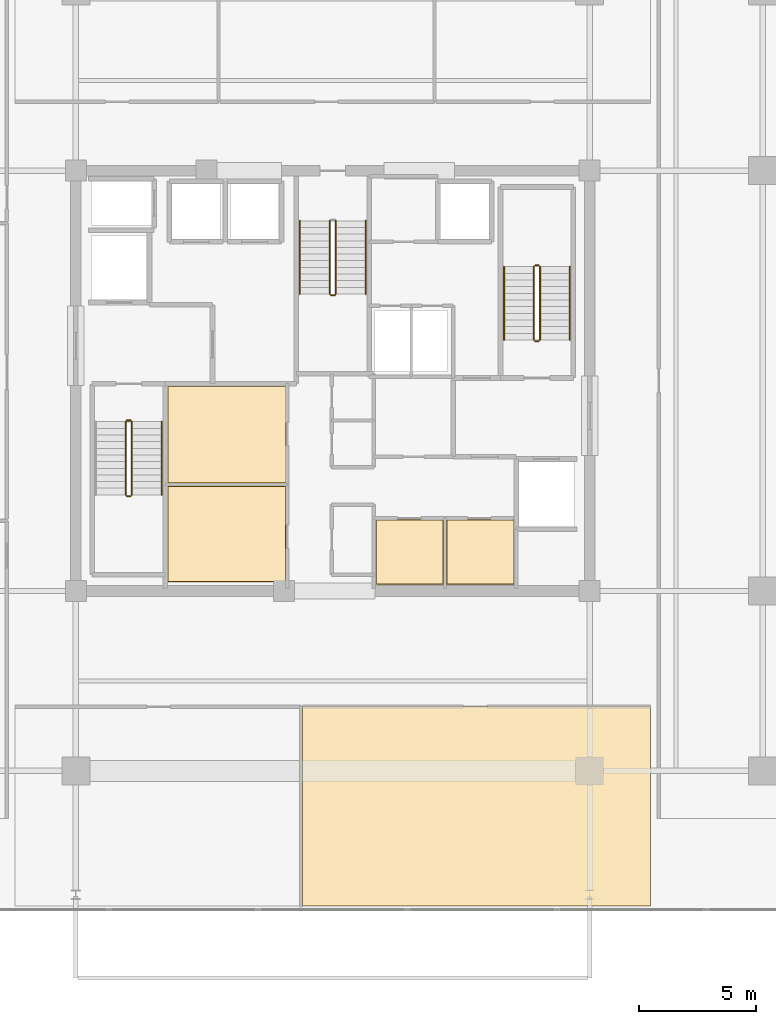
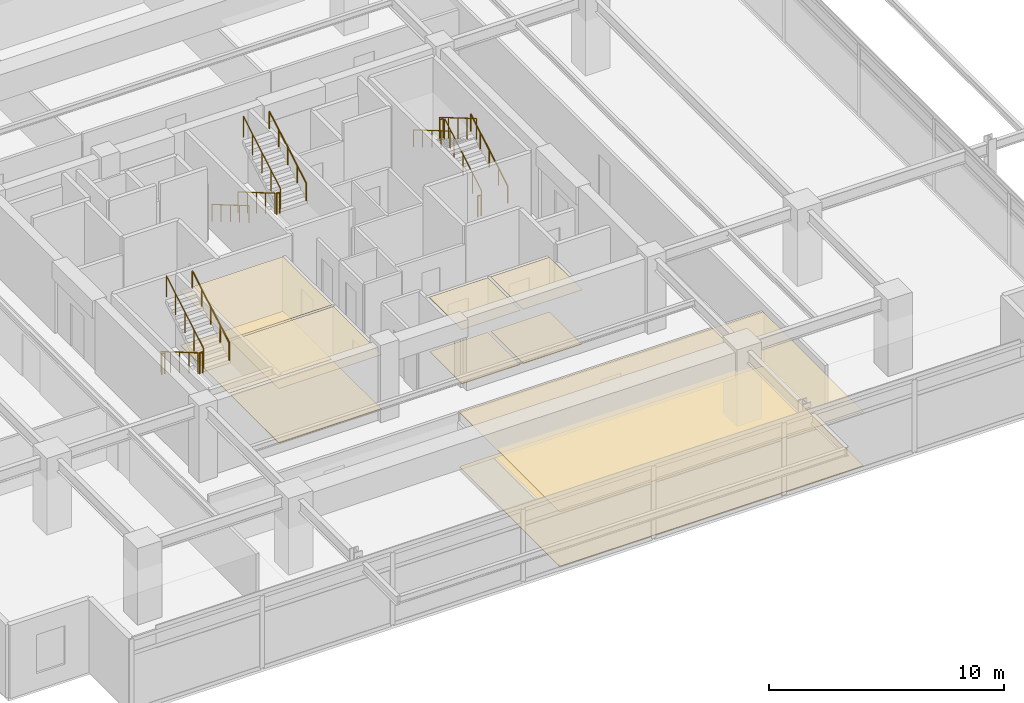
# One storey, part 17 of 19: 16 railings, 10 coverings.
"""IFC4 building model written with IfcOpenShell, lengths in metres."""

from ifc_helpers import new_model, si_unit, direction, frame, origin, origin_2d, place, context, subcontext, project, spatial, polyline, circle, outline, extrude, material, layer, layer_set, type_object, element, save


model = new_model("IFC4")

# Units and contexts
model_context = context("Model", 3, precision=1e-05, world=origin(), true_north=direction((0.0, 1.0)))
body_context = subcontext(model_context, "Body", "Model", "MODEL_VIEW")
ifc_project = project(units=[si_unit("LENGTHUNIT", "METRE"), si_unit("AREAUNIT", "SQUARE_METRE"), si_unit("VOLUMEUNIT", "CUBIC_METRE"), si_unit("PLANEANGLEUNIT", "RADIAN"), si_unit("MASSUNIT", "GRAM", prefix="KILO")], contexts=[model_context])

# Site, building, storey
site_placement = place(None, origin())
site = spatial("IfcSite", under=ifc_project, at=site_placement, CompositionType="ELEMENT")
building_placement = place(site_placement, origin())
building = spatial("IfcBuilding", under=site, at=building_placement, Name="Kovane Verandah Tower", CompositionType="ELEMENT")
storey_placement = place(building_placement, frame((0.0, 0.0, 255.199951171875)))
storey = spatial("IfcBuildingStorey", under=building, at=storey_placement, Name="L59", CompositionType="ELEMENT", Elevation=255.199951171875)

# Coverings
ifc_material_1 = material(Name="Perforated Acoustic Mineral-Fibre Ceiling Tile", Category="gypsum")
ifc_layer_1 = layer(ifc_material_1, 0.02490234375)
ifc_layer_set_1 = layer_set([ifc_layer_1], Name="Perforated Acoustic Mineral-Fibre Ceiling Tile")
covering_type_1 = type_object("IfcCoveringType", Name="CV-CEIL-25", PredefinedType="CEILING", material=ifc_layer_set_1)
covering_1_placement = place(storey_placement, frame((0.0, 0.0, 2.824951171875)))
element("IfcCovering", 1, at=covering_1_placement, inside=storey, type_object=covering_type_1, Name="L59 IT Server Room Acoustic Ceiling", PredefinedType="CEILING", context=body_context, shape_type="SweptSolid", body=[
    extrude(outline(polyline([(32.93505859375, 18.885009765625), (37.9951171875, 18.885009765625), (37.9951171875, 22.9951171875), (32.93505859375, 22.9951171875), (32.93505859375, 18.885009765625)])), origin(), (0.0, 0.0, 1.0), 0.025146484375),
])
covering_2_placement = place(storey_placement, frame((0.0, 0.0, 2.824951171875)))
element("IfcCovering", 2, at=covering_2_placement, inside=storey, type_object=covering_type_1, Name="L59 Telecom MDF Room Acoustic Ceiling", PredefinedType="CEILING", context=body_context, shape_type="SweptSolid", body=[
    extrude(outline(polyline([(32.93505859375, 23.125), (37.9951171875, 23.125), (37.9951171875, 27.264892578125), (32.93505859375, 27.264892578125), (32.93505859375, 23.125)])), origin(), (0.0, 0.0, 1.0), 0.025146484375),
])
covering_3_placement = place(storey_placement, frame((0.0, 0.0, 2.824951171875)))
element("IfcCovering", 3, at=covering_3_placement, inside=storey, type_object=covering_type_1, Name="L59 AV Control Room Acoustic Ceiling", PredefinedType="CEILING", context=body_context, shape_type="SweptSolid", body=[
    extrude(outline(polyline([(41.864990234375, 18.784912109375), (44.735107421875, 18.784912109375), (44.735107421875, 21.56494140625), (41.864990234375, 21.56494140625), (41.864990234375, 18.784912109375)])), origin(), (0.0, 0.0, 1.0), 0.025146484375),
])
covering_4_placement = place(storey_placement, frame((0.0, 0.0, 2.824951171875)))
element("IfcCovering", 4, at=covering_4_placement, inside=storey, type_object=covering_type_1, Name="L59 East IT Server Room Acoustic Ceiling", PredefinedType="CEILING", context=body_context, shape_type="SweptSolid", body=[
    extrude(outline(polyline([(44.864990234375, 18.784912109375), (47.764892578125, 18.784912109375), (47.764892578125, 21.56494140625), (44.864990234375, 21.56494140625), (44.864990234375, 18.784912109375)])), origin(), (0.0, 0.0, 1.0), 0.025146484375),
])
covering_5_placement = place(storey_placement, frame((0.0, 0.0, 2.824951171875)))
element("IfcCovering", 5, at=covering_5_placement, inside=storey, type_object=covering_type_1, Name="L59 Open Plan Office S2 Acoustic Ceiling", PredefinedType="CEILING", context=body_context, shape_type="SweptSolid", body=[
    extrude(outline(polyline([(38.7099609375, 5.012451171875), (53.60009765625, 5.012451171875), (53.60009765625, 13.550048828125), (38.7099609375, 13.550048828125), (38.7099609375, 5.012451171875)])), origin(), (0.0, 0.0, 1.0), 0.025146484375),
])
ifc_material_2 = material(Name="Polished Terrazzo and Raised-Access Carpet Tile Finish", Category="concrete")
ifc_layer_2 = layer(ifc_material_2, 0.030029296875)
ifc_layer_set_2 = layer_set([ifc_layer_2], Name="Polished Terrazzo and Raised-Access Carpet Tile Finish")
covering_type_2 = type_object("IfcCoveringType", Name="CV-FLOR-30", PredefinedType="FLOORING", material=ifc_layer_set_2)
covering_6_placement = place(storey_placement, origin())
element("IfcCovering", 6, at=covering_6_placement, inside=storey, type_object=covering_type_2, Name="L59 IT Server Room Floor Finish", PredefinedType="FLOORING", context=body_context, shape_type="SweptSolid", body=[
    extrude(outline(polyline([(32.949951171875, 18.89990234375), (37.97998046875, 18.89990234375), (37.97998046875, 22.97998046875), (32.949951171875, 22.97998046875), (32.949951171875, 18.89990234375)])), origin(), (0.0, 0.0, 1.0), 0.030029296875),
])
covering_7_placement = place(storey_placement, origin())
element("IfcCovering", 7, at=covering_7_placement, inside=storey, type_object=covering_type_2, Name="L59 Telecom MDF Room Floor Finish", PredefinedType="FLOORING", context=body_context, shape_type="SweptSolid", body=[
    extrude(outline(polyline([(32.949951171875, 23.139892578125), (37.97998046875, 23.139892578125), (37.97998046875, 27.25), (32.949951171875, 27.25), (32.949951171875, 23.139892578125)])), origin(), (0.0, 0.0, 1.0), 0.030029296875),
])
covering_8_placement = place(storey_placement, origin())
element("IfcCovering", 8, at=covering_8_placement, inside=storey, type_object=covering_type_2, Name="L59 AV Control Room Floor Finish", PredefinedType="FLOORING", context=body_context, shape_type="SweptSolid", body=[
    extrude(outline(polyline([(41.8798828125, 18.800048828125), (44.719970703125, 18.800048828125), (44.719970703125, 21.550048828125), (41.8798828125, 21.550048828125), (41.8798828125, 18.800048828125)])), origin(), (0.0, 0.0, 1.0), 0.030029296875),
])
covering_9_placement = place(storey_placement, origin())
element("IfcCovering", 9, at=covering_9_placement, inside=storey, type_object=covering_type_2, Name="L59 East IT Server Room Floor Finish", PredefinedType="FLOORING", context=body_context, shape_type="SweptSolid", body=[
    extrude(outline(polyline([(44.8798828125, 18.800048828125), (47.75, 18.800048828125), (47.75, 21.550048828125), (44.8798828125, 21.550048828125), (44.8798828125, 18.800048828125)])), origin(), (0.0, 0.0, 1.0), 0.030029296875),
])
covering_10_placement = place(storey_placement, origin())
element("IfcCovering", 10, at=covering_10_placement, inside=storey, type_object=covering_type_2, Name="L59 Open Plan Office S2 Floor Finish", PredefinedType="FLOORING", context=body_context, shape_type="SweptSolid", body=[
    extrude(outline(polyline([(38.7099609375, 5.012451171875), (53.60009765625, 5.012451171875), (53.60009765625, 13.550048828125), (38.7099609375, 13.550048828125), (38.7099609375, 5.012451171875)])), origin(), (0.0, 0.0, 1.0), 0.030029296875),
])

# Railings
ifc_material_3 = material(Name="Brushed Stainless Steel Handrail", Category="steel")
railing_type_1 = type_object("IfcRailingType", Name="RL-HAND-920", PredefinedType="HANDRAIL", material=ifc_material_3)
for number, where, name in (
    (11, (32.669921875, 22.614990234375, 2.166748046875), "L59 ST-01 stair handrail 2"),
    (12, (50.14990234375, 29.25, 0.166748046875), "L59 ST-02 stair handrail 1"),
):
    element("IfcRailing", number, at=place(storey_placement, frame(where)), inside=storey, type_object=railing_type_1, Name=name, PredefinedType="HANDRAIL", context=body_context, shape_type="SweptSolid", body=[
        extrude(circle(Radius=0.02392578125, at=origin_2d()), frame((0.0, 0.0, 0.8759765625), z_axis=(0.0, 0.863239559939, 0.504794475164), x_axis=(-1.0, 0.0, 0.0)), (0.0, 0.0, 1.0), 3.631591796875),
        extrude(circle(Radius=0.02099609375, at=origin_2d()), origin(), (0.0, 0.0, 1.0), 0.851806640625),
        extrude(circle(Radius=0.02099609375, at=origin_2d()), frame((0.0, 0.78369140625, 0.458251953125)), (0.0, 0.0, 1.0), 0.851806640625),
        extrude(circle(Radius=0.02099609375, at=origin_2d()), frame((0.0, 1.5673828125, 0.91650390625)), (0.0, 0.0, 1.0), 0.851806640625),
        extrude(circle(Radius=0.02099609375, at=origin_2d()), frame((0.0, 2.351318359375, 1.375)), (0.0, 0.0, 1.0), 0.851806640625),
        extrude(circle(Radius=0.02099609375, at=origin_2d()), frame((0.0, 3.135009765625, 1.833251953125)), (0.0, 0.0, 1.0), 0.851806640625),
    ])
for number, where, name in (
    (13, (47.330078125, 32.385009765625, 2.166748046875), "L59 ST-02 stair handrail 2"),
    (14, (38.590087890625, 34.35009765625, 0.166748046875), "L59 ST-03 stair handrail 1"),
):
    element("IfcRailing", number, at=place(storey_placement, frame(where)), inside=storey, type_object=railing_type_1, Name=name, PredefinedType="HANDRAIL", context=body_context, shape_type="SweptSolid", body=[
        extrude(circle(Radius=0.02392578125, at=origin_2d()), frame((0.0, 0.0, 0.8759765625), z_axis=(0.0, -0.863239559939, 0.504794475164), x_axis=(1.0, 0.0, 0.0)), (0.0, 0.0, 1.0), 3.631591796875),
        extrude(circle(Radius=0.02099609375, at=origin_2d()), origin(), (0.0, 0.0, 1.0), 0.851806640625),
        extrude(circle(Radius=0.02099609375, at=origin_2d()), frame((0.0, -0.78369140625, 0.458251953125)), (0.0, 0.0, 1.0), 0.851806640625),
        extrude(circle(Radius=0.02099609375, at=origin_2d()), frame((0.0, -1.5673828125, 0.91650390625)), (0.0, 0.0, 1.0), 0.851806640625),
        extrude(circle(Radius=0.02099609375, at=origin_2d()), frame((0.0, -2.351318359375, 1.375)), (0.0, 0.0, 1.0), 0.851806640625),
        extrude(circle(Radius=0.02099609375, at=origin_2d()), frame((0.0, -3.135009765625, 1.833251953125)), (0.0, 0.0, 1.0), 0.851806640625),
    ])
railing_1_placement = place(storey_placement, frame((41.409912109375, 31.215087890625, 2.166748046875)))
element("IfcRailing", 15, at=railing_1_placement, inside=storey, type_object=railing_type_1, Name="L59 ST-03 stair handrail 2", PredefinedType="HANDRAIL", context=body_context, shape_type="SweptSolid", body=[
    extrude(circle(Radius=0.02392578125, at=origin_2d()), frame((0.0, 0.0, 0.8759765625), z_axis=(0.0, 0.863239559939, 0.504794475164), x_axis=(-1.0, 0.0, 0.0)), (0.0, 0.0, 1.0), 3.631591796875),
    extrude(circle(Radius=0.02099609375, at=origin_2d()), origin(), (0.0, 0.0, 1.0), 0.851806640625),
    extrude(circle(Radius=0.02099609375, at=origin_2d()), frame((0.0, 0.78369140625, 0.458251953125)), (0.0, 0.0, 1.0), 0.851806640625),
    extrude(circle(Radius=0.02099609375, at=origin_2d()), frame((0.0, 1.5673828125, 0.91650390625)), (0.0, 0.0, 1.0), 0.851806640625),
    extrude(circle(Radius=0.02099609375, at=origin_2d()), frame((0.0, 2.351318359375, 1.375)), (0.0, 0.0, 1.0), 0.851806640625),
    extrude(circle(Radius=0.02099609375, at=origin_2d()), frame((0.0, 3.135009765625, 1.833251953125)), (0.0, 0.0, 1.0), 0.851806640625),
])
ifc_material_4 = material(Name="Painted Steel Stairwell Guardrail", Category="steel")
railing_type_2 = type_object("IfcRailingType", Name="RL-STGUARD-1120", PredefinedType="GUARDRAIL", material=ifc_material_4)
railing_2_placement = place(storey_placement, frame((31.1298828125, 25.75, 0.166748046875)))
element("IfcRailing", 16, at=railing_2_placement, inside=storey, type_object=railing_type_2, Name="L59 ST-01 stair guard 1", PredefinedType="GUARDRAIL", context=body_context, shape_type="SweptSolid", body=[
    extrude(circle(Radius=0.02392578125, at=origin_2d()), frame((0.0, 0.0, 1.076171875), z_axis=(0.0, -0.863239559939, 0.504794475164), x_axis=(1.0, 0.0, 0.0)), (0.0, 0.0, 1.0), 3.631591796875),
    extrude(circle(Radius=0.02099609375, at=origin_2d()), origin(), (0.0, 0.0, 1.0), 1.052001953125),
    extrude(circle(Radius=0.02099609375, at=origin_2d()), frame((0.0, -0.78369140625, 0.458251953125)), (0.0, 0.0, 1.0), 1.052001953125),
    extrude(circle(Radius=0.02099609375, at=origin_2d()), frame((0.0, -1.5673828125, 0.91650390625)), (0.0, 0.0, 1.0), 1.052001953125),
    extrude(circle(Radius=0.02099609375, at=origin_2d()), frame((0.0, -2.351318359375, 1.375)), (0.0, 0.0, 1.0), 1.052001953125),
    extrude(circle(Radius=0.02099609375, at=origin_2d()), frame((0.0, -3.135009765625, 1.833251953125)), (0.0, 0.0, 1.0), 1.052001953125),
])
railing_3_placement = place(storey_placement, frame((31.179931640625, 22.56494140625, 2.0)))
element("IfcRailing", 17, at=railing_3_placement, inside=storey, type_object=railing_type_2, Name="L59 ST-01 stair guard 2", PredefinedType="GUARDRAIL", context=body_context, shape_type="SweptSolid", body=[
    extrude(circle(Radius=0.02392578125, at=origin_2d()), frame((0.0, 0.0, 1.076171875), z_axis=(1.0, 0.0, 0.0), x_axis=(0.0, 1.0, 0.0)), (0.0, 0.0, 1.0), 0.16015625),
    extrude(circle(Radius=0.02099609375, at=origin_2d()), origin(), (0.0, 0.0, 1.0), 1.052001953125),
    extrude(circle(Radius=0.02099609375, at=origin_2d()), frame((0.16015625, 0.0, 0.0)), (0.0, 0.0, 1.0), 1.052001953125),
])
railing_4_placement = place(storey_placement, frame((31.389892578125, 22.614990234375, 2.166748046875)))
element("IfcRailing", 18, at=railing_4_placement, inside=storey, type_object=railing_type_2, Name="L59 ST-01 stair guard 3", PredefinedType="GUARDRAIL", context=body_context, shape_type="SweptSolid", body=[
    extrude(circle(Radius=0.02392578125, at=origin_2d()), frame((0.0, 0.0, 1.076171875), z_axis=(0.0, 0.863239559939, 0.504794475164), x_axis=(-1.0, 0.0, 0.0)), (0.0, 0.0, 1.0), 3.631591796875),
    extrude(circle(Radius=0.02099609375, at=origin_2d()), origin(), (0.0, 0.0, 1.0), 1.052001953125),
    extrude(circle(Radius=0.02099609375, at=origin_2d()), frame((0.0, 0.78369140625, 0.458251953125)), (0.0, 0.0, 1.0), 1.052001953125),
    extrude(circle(Radius=0.02099609375, at=origin_2d()), frame((0.0, 1.5673828125, 0.91650390625)), (0.0, 0.0, 1.0), 1.052001953125),
    extrude(circle(Radius=0.02099609375, at=origin_2d()), frame((0.0, 2.351318359375, 1.375)), (0.0, 0.0, 1.0), 1.052001953125),
    extrude(circle(Radius=0.02099609375, at=origin_2d()), frame((0.0, 3.135009765625, 1.833251953125)), (0.0, 0.0, 1.0), 1.052001953125),
])
railing_5_placement = place(storey_placement, frame((31.179931640625, 25.800048828125, 0.0)))
element("IfcRailing", 19, at=railing_5_placement, inside=storey, type_object=railing_type_2, Name="L59 ST-01 stair guard 4", PredefinedType="GUARDRAIL", context=body_context, shape_type="SweptSolid", body=[
    extrude(circle(Radius=0.02392578125, at=origin_2d()), frame((0.0, 0.0, 1.076171875), z_axis=(1.0, 0.0, 0.0), x_axis=(0.0, 1.0, 0.0)), (0.0, 0.0, 1.0), 0.16015625),
    extrude(circle(Radius=0.02099609375, at=origin_2d()), origin(), (0.0, 0.0, 1.0), 1.052001953125),
    extrude(circle(Radius=0.02099609375, at=origin_2d()), frame((0.16015625, 0.0, 0.0)), (0.0, 0.0, 1.0), 1.052001953125),
])
railing_6_placement = place(storey_placement, frame((48.8701171875, 29.25, 0.166748046875)))
element("IfcRailing", 20, at=railing_6_placement, inside=storey, type_object=railing_type_2, Name="L59 ST-02 stair guard 1", PredefinedType="GUARDRAIL", context=body_context, shape_type="SweptSolid", body=[
    extrude(circle(Radius=0.02392578125, at=origin_2d()), frame((0.0, 0.0, 1.076171875), z_axis=(0.0, 0.863239559939, 0.504794475164), x_axis=(-1.0, 0.0, 0.0)), (0.0, 0.0, 1.0), 3.631591796875),
    extrude(circle(Radius=0.02099609375, at=origin_2d()), origin(), (0.0, 0.0, 1.0), 1.052001953125),
    extrude(circle(Radius=0.02099609375, at=origin_2d()), frame((0.0, 0.78369140625, 0.458251953125)), (0.0, 0.0, 1.0), 1.052001953125),
    extrude(circle(Radius=0.02099609375, at=origin_2d()), frame((0.0, 1.5673828125, 0.91650390625)), (0.0, 0.0, 1.0), 1.052001953125),
    extrude(circle(Radius=0.02099609375, at=origin_2d()), frame((0.0, 2.351318359375, 1.375)), (0.0, 0.0, 1.0), 1.052001953125),
    extrude(circle(Radius=0.02099609375, at=origin_2d()), frame((0.0, 3.135009765625, 1.833251953125)), (0.0, 0.0, 1.0), 1.052001953125),
])
railing_7_placement = place(storey_placement, frame((48.820068359375, 32.43505859375, 2.0)))
element("IfcRailing", 21, at=railing_7_placement, inside=storey, type_object=railing_type_2, Name="L59 ST-02 stair guard 2", PredefinedType="GUARDRAIL", context=body_context, shape_type="SweptSolid", body=[
    extrude(circle(Radius=0.02392578125, at=origin_2d()), frame((0.0, 0.0, 1.076171875), z_axis=(-1.0, 0.0, 0.0), x_axis=(0.0, -1.0, 0.0)), (0.0, 0.0, 1.0), 0.16015625),
    extrude(circle(Radius=0.02099609375, at=origin_2d()), origin(), (0.0, 0.0, 1.0), 1.052001953125),
    extrude(circle(Radius=0.02099609375, at=origin_2d()), frame((-0.16015625, 0.0, 0.0)), (0.0, 0.0, 1.0), 1.052001953125),
])
railing_8_placement = place(storey_placement, frame((48.610107421875, 32.385009765625, 2.166748046875)))
element("IfcRailing", 22, at=railing_8_placement, inside=storey, type_object=railing_type_2, Name="L59 ST-02 stair guard 3", PredefinedType="GUARDRAIL", context=body_context, shape_type="SweptSolid", body=[
    extrude(circle(Radius=0.02392578125, at=origin_2d()), frame((0.0, 0.0, 1.076171875), z_axis=(0.0, -0.863239559939, 0.504794475164), x_axis=(1.0, 0.0, 0.0)), (0.0, 0.0, 1.0), 3.631591796875),
    extrude(circle(Radius=0.02099609375, at=origin_2d()), origin(), (0.0, 0.0, 1.0), 1.052001953125),
    extrude(circle(Radius=0.02099609375, at=origin_2d()), frame((0.0, -0.78369140625, 0.458251953125)), (0.0, 0.0, 1.0), 1.052001953125),
    extrude(circle(Radius=0.02099609375, at=origin_2d()), frame((0.0, -1.5673828125, 0.91650390625)), (0.0, 0.0, 1.0), 1.052001953125),
    extrude(circle(Radius=0.02099609375, at=origin_2d()), frame((0.0, -2.351318359375, 1.375)), (0.0, 0.0, 1.0), 1.052001953125),
    extrude(circle(Radius=0.02099609375, at=origin_2d()), frame((0.0, -3.135009765625, 1.833251953125)), (0.0, 0.0, 1.0), 1.052001953125),
])
railing_9_placement = place(storey_placement, frame((48.820068359375, 29.199951171875, 0.0)))
element("IfcRailing", 23, at=railing_9_placement, inside=storey, type_object=railing_type_2, Name="L59 ST-02 stair guard 4", PredefinedType="GUARDRAIL", context=body_context, shape_type="SweptSolid", body=[
    extrude(circle(Radius=0.02392578125, at=origin_2d()), frame((0.0, 0.0, 1.076171875), z_axis=(-1.0, 0.0, 0.0), x_axis=(0.0, -1.0, 0.0)), (0.0, 0.0, 1.0), 0.16015625),
    extrude(circle(Radius=0.02099609375, at=origin_2d()), origin(), (0.0, 0.0, 1.0), 1.052001953125),
    extrude(circle(Radius=0.02099609375, at=origin_2d()), frame((-0.16015625, 0.0, 0.0)), (0.0, 0.0, 1.0), 1.052001953125),
])
railing_10_placement = place(storey_placement, frame((39.8701171875, 34.35009765625, 0.166748046875)))
element("IfcRailing", 24, at=railing_10_placement, inside=storey, type_object=railing_type_2, Name="L59 ST-03 stair guard 1", PredefinedType="GUARDRAIL", context=body_context, shape_type="SweptSolid", body=[
    extrude(circle(Radius=0.02392578125, at=origin_2d()), frame((0.0, 0.0, 1.076171875), z_axis=(0.0, -0.863239559939, 0.504794475164), x_axis=(1.0, 0.0, 0.0)), (0.0, 0.0, 1.0), 3.631591796875),
    extrude(circle(Radius=0.02099609375, at=origin_2d()), origin(), (0.0, 0.0, 1.0), 1.052001953125),
    extrude(circle(Radius=0.02099609375, at=origin_2d()), frame((0.0, -0.78369140625, 0.458251953125)), (0.0, 0.0, 1.0), 1.052001953125),
    extrude(circle(Radius=0.02099609375, at=origin_2d()), frame((0.0, -1.5673828125, 0.91650390625)), (0.0, 0.0, 1.0), 1.052001953125),
    extrude(circle(Radius=0.02099609375, at=origin_2d()), frame((0.0, -2.351318359375, 1.375)), (0.0, 0.0, 1.0), 1.052001953125),
    extrude(circle(Radius=0.02099609375, at=origin_2d()), frame((0.0, -3.135009765625, 1.833251953125)), (0.0, 0.0, 1.0), 1.052001953125),
])
railing_11_placement = place(storey_placement, frame((39.919921875, 31.1650390625, 2.0)))
element("IfcRailing", 25, at=railing_11_placement, inside=storey, type_object=railing_type_2, Name="L59 ST-03 stair guard 2", PredefinedType="GUARDRAIL", context=body_context, shape_type="SweptSolid", body=[
    extrude(circle(Radius=0.02392578125, at=origin_2d()), frame((0.0, 0.0, 1.076171875), z_axis=(1.0, 0.0, 0.0), x_axis=(0.0, 1.0, 0.0)), (0.0, 0.0, 1.0), 0.16015625),
    extrude(circle(Radius=0.02099609375, at=origin_2d()), origin(), (0.0, 0.0, 1.0), 1.052001953125),
    extrude(circle(Radius=0.02099609375, at=origin_2d()), frame((0.16015625, 0.0, 0.0)), (0.0, 0.0, 1.0), 1.052001953125),
])
railing_12_placement = place(storey_placement, frame((40.1298828125, 31.215087890625, 2.166748046875)))
element("IfcRailing", 26, at=railing_12_placement, inside=storey, type_object=railing_type_2, Name="L59 ST-03 stair guard 3", PredefinedType="GUARDRAIL", context=body_context, shape_type="SweptSolid", body=[
    extrude(circle(Radius=0.02392578125, at=origin_2d()), frame((0.0, 0.0, 1.076171875), z_axis=(0.0, 0.863239559939, 0.504794475164), x_axis=(-1.0, 0.0, 0.0)), (0.0, 0.0, 1.0), 3.631591796875),
    extrude(circle(Radius=0.02099609375, at=origin_2d()), origin(), (0.0, 0.0, 1.0), 1.052001953125),
    extrude(circle(Radius=0.02099609375, at=origin_2d()), frame((0.0, 0.78369140625, 0.458251953125)), (0.0, 0.0, 1.0), 1.052001953125),
    extrude(circle(Radius=0.02099609375, at=origin_2d()), frame((0.0, 1.5673828125, 0.91650390625)), (0.0, 0.0, 1.0), 1.052001953125),
    extrude(circle(Radius=0.02099609375, at=origin_2d()), frame((0.0, 2.351318359375, 1.375)), (0.0, 0.0, 1.0), 1.052001953125),
    extrude(circle(Radius=0.02099609375, at=origin_2d()), frame((0.0, 3.135009765625, 1.833251953125)), (0.0, 0.0, 1.0), 1.052001953125),
])

save(model, "model.ifc")
